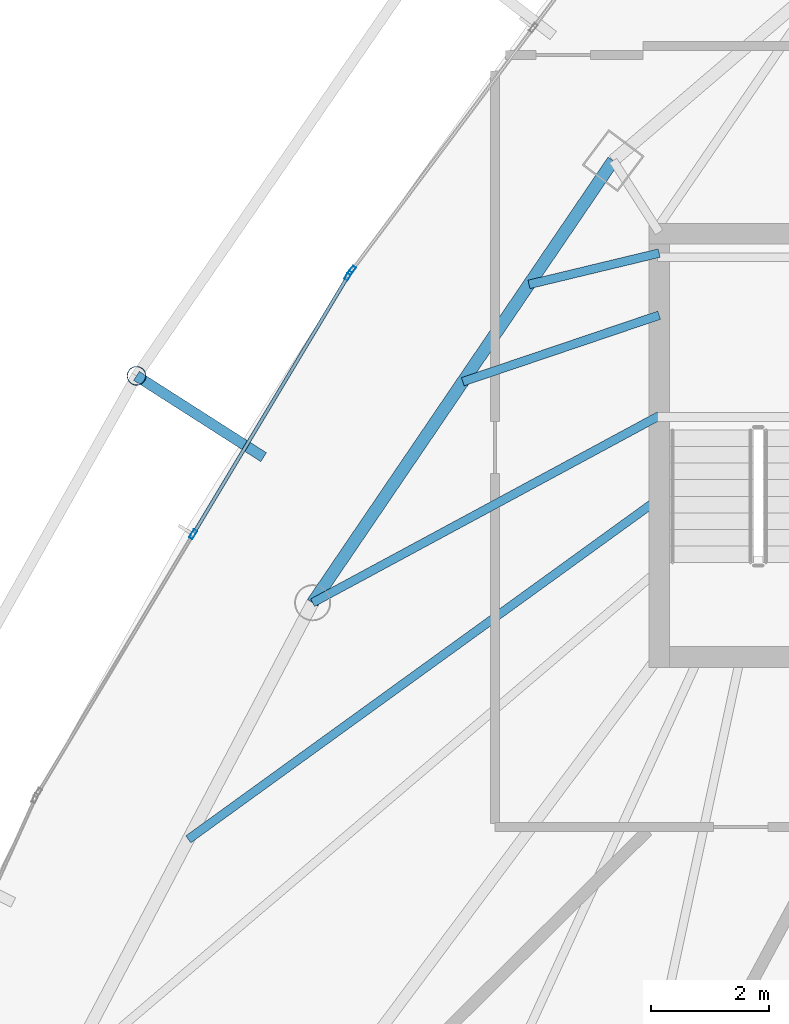
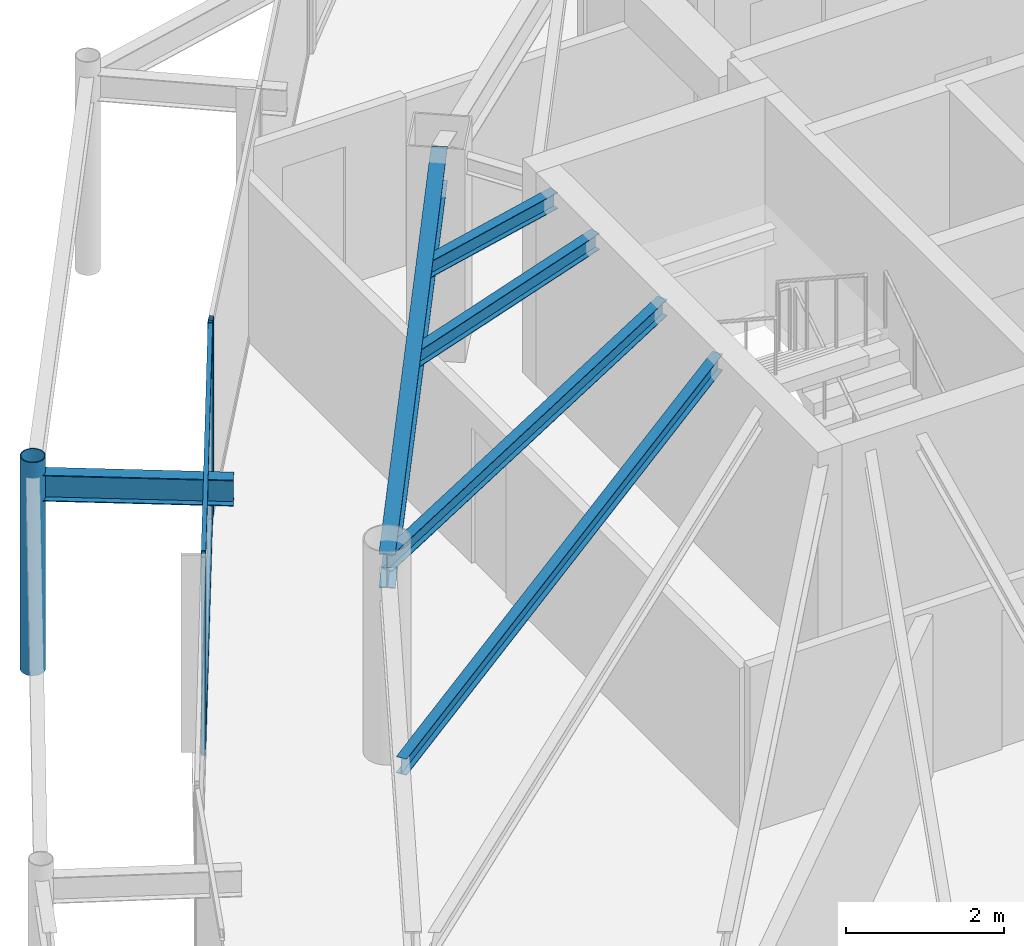
# One storey, part 13 of 33: 6 beams, 6 members, 2 elements without a shape of their own.
"""IFC4 building model written with IfcOpenShell, lengths in metres."""

from ifc_helpers import new_model, si_unit, direction, frame, origin, origin_2d, place, context, subcontext, project, spatial, hollow_rectangle, hollow_circle, i_section, extrude, material, layer, layer_set, material_profile, profile_set, type_object, element, aggregate, save


model = new_model("IFC4")

# Units and contexts
model_context = context("Model", 3, precision=1e-05, world=origin(), true_north=direction((0.0, 1.0)))
body_context = subcontext(model_context, "Body", "Model", "MODEL_VIEW")
ifc_project = project(units=[si_unit("LENGTHUNIT", "METRE"), si_unit("AREAUNIT", "SQUARE_METRE"), si_unit("VOLUMEUNIT", "CUBIC_METRE"), si_unit("PLANEANGLEUNIT", "RADIAN"), si_unit("MASSUNIT", "GRAM", prefix="KILO")], contexts=[model_context])

# Site, building, storey
site_placement = place(None, origin())
site = spatial("IfcSite", under=ifc_project, at=site_placement, CompositionType="ELEMENT")
building_placement = place(site_placement, origin())
building = spatial("IfcBuilding", under=site, at=building_placement, Name="Orvanel Arch Residences", CompositionType="ELEMENT")
storey_placement = place(building_placement, frame((0.0, 0.0, 196.39990234375)))
storey = spatial("IfcBuildingStorey", under=building, at=storey_placement, Name="L55", CompositionType="ELEMENT", Elevation=196.39990234375)

# Beams
ifc_material_1 = material(Name="Structural steel AS/NZS 3679.1 Grade 300 (300 MPa)", Category="steel")
ifc_material_profile_1 = material_profile(ifc_material_1, i_section(OverallWidth=0.14599609375, OverallDepth=0.251953125, WebThickness=0.006103515625, FlangeThickness=0.008544921875, at=origin_2d()), Name="250UB31.4")
ifc_profile_set_1 = profile_set([ifc_material_profile_1], Name="Structural steel AS/NZS 3679.1 Grade 300 (300 MPa)")
beam_type_1 = type_object("IfcBeamType", Name="BJ-250UB", PredefinedType="JOIST", material=ifc_profile_set_1)
beam_1_placement = place(storey_placement, frame((26.425048828125, 30.800048828125, 2.93408203125), z_axis=(-0.880111494021, -0.474767056664, 0.0), x_axis=(0.474767056664, -0.880111494021, 0.0)))
element("IfcBeam", 1, at=beam_1_placement, inside=storey, type_object=beam_type_1, Name="L55 NW Wing Floor Joist", PredefinedType="JOIST", context=body_context, shape_type="SweptSolid", body=[
    extrude(i_section(OverallWidth=0.14599609375, OverallDepth=0.251953125, WebThickness=0.006103515625, FlangeThickness=0.008544921875, at=origin_2d()), origin(), (0.0, 0.0, 1.0), 6.653564453125),
])
beam_2_placement = place(storey_placement, frame((26.425048828125, 32.5, 2.93408203125), z_axis=(-0.947187956478, -0.320678928373, 0.0), x_axis=(0.320678928373, -0.947187956478, 0.0)))
element("IfcBeam", 2, at=beam_2_placement, inside=storey, type_object=beam_type_1, Name="L55 WNW Wing Floor Joist", PredefinedType="JOIST", context=body_context, shape_type="SweptSolid", body=[
    extrude(i_section(OverallWidth=0.14599609375, OverallDepth=0.251953125, WebThickness=0.006103515625, FlangeThickness=0.008544921875, at=origin_2d()), origin(), (0.0, 0.0, 1.0), 3.502197265625),
])
beam_3_placement = place(storey_placement, frame((26.425048828125, 29.39990234375, 2.93408203125), z_axis=(-0.810144032972, -0.586230881002, 0.0), x_axis=(0.586230881002, -0.810144032972, 0.0)))
element("IfcBeam", 3, at=beam_3_placement, inside=storey, type_object=beam_type_1, Name="L55 CTW Wing Floor Joist", PredefinedType="JOIST", context=body_context, shape_type="SweptSolid", body=[
    extrude(i_section(OverallWidth=0.14599609375, OverallDepth=0.251953125, WebThickness=0.006103515625, FlangeThickness=0.008544921875, at=origin_2d()), origin(), (0.0, 0.0, 1.0), 9.82177734375),
])
beam_4_placement = place(storey_placement, frame((26.425048828125, 33.550048828125, 2.93408203125), z_axis=(-0.972256833016, -0.23391590509, 0.0), x_axis=(0.23391590509, -0.972256833016, 0.0)))
element("IfcBeam", 4, at=beam_4_placement, inside=storey, type_object=beam_type_1, Name="L55 JADD3 Wing Floor Joist", PredefinedType="JOIST", context=body_context, shape_type="SweptSolid", body=[
    extrude(i_section(OverallWidth=0.14599609375, OverallDepth=0.251953125, WebThickness=0.006103515625, FlangeThickness=0.008544921875, at=origin_2d()), origin(), (0.0, 0.0, 1.0), 2.26171875),
])

# Curtain wall, member
ifc_material_2 = material(Name="Bronze-anodised aluminium AA6063-T6", Category="aluminium")
ifc_layer = layer(ifc_material_2, 0.175048828125)
ifc_layer_set = layer_set([ifc_layer], Name="Bronze-anodised aluminium AA6063-T6")
curtain_wall_type = type_object("IfcCurtainWallType", Name="CW4-HI-SYS", PredefinedType="NOTDEFINED", material=ifc_layer_set)
curtain_wall_1_placement = place(storey_placement, origin())
curtain_wall_1 = element("IfcCurtainWall", 5, at=curtain_wall_1_placement, inside=storey, type_object=curtain_wall_type, Name="L55 CW4-HI-SYS Unitised Curtain Wall", PredefinedType="NOTDEFINED")
ifc_material_profile_2 = material_profile(ifc_material_2, hollow_rectangle(XDim=0.06494140625, YDim=0.159912109375, WallThickness=0.00390625, at=origin_2d()), Name="ALU160x65x4")
ifc_profile_set_2 = profile_set([ifc_material_profile_2], Name="Bronze-anodised aluminium AA6063-T6")
member_type_1 = type_object("IfcMemberType", Name="MUL-160x65", PredefinedType="MULLION", material=ifc_profile_set_2)
member_1_placement = place(storey_placement, frame((21.2294921875, 33.255126953125, 0.0), z_axis=(0.0, 0.0, 1.0), x_axis=(0.800790783216, -0.598944172287, 0.0)))
member_1 = element("IfcMember", 6, at=member_1_placement, type_object=member_type_1, Name="CW-S4 mullion 3", PredefinedType="MULLION", context=body_context, shape_type="SweptSolid", body=[
    extrude(hollow_rectangle(XDim=0.06494140625, YDim=0.159912109375, WallThickness=0.00390625, at=origin_2d()), origin(), (0.0, 0.0, 1.0), 3.06005859375),
])
aggregate(curtain_wall_1, [member_1])

# Curtain wall, members
curtain_wall_2_placement = place(storey_placement, origin())
curtain_wall_2 = element("IfcCurtainWall", 7, at=curtain_wall_2_placement, inside=storey, type_object=curtain_wall_type, Name="L55 CW4-HI-SYS Unitised Curtain Wall", PredefinedType="NOTDEFINED")
member_2_placement = place(storey_placement, frame((21.17138671875, 33.168212890625, 0.0), z_axis=(0.0, 0.0, 1.0), x_axis=(0.857492925713, -0.514495755426, 0.0)))
member_2 = element("IfcMember", 8, at=member_2_placement, type_object=member_type_1, Name="CW-S4 mullion 1", PredefinedType="MULLION", context=body_context, shape_type="SweptSolid", body=[
    extrude(hollow_rectangle(XDim=0.06494140625, YDim=0.159912109375, WallThickness=0.00390625, at=origin_2d()), origin(), (0.0, 0.0, 1.0), 3.06005859375),
])
member_3_placement = place(storey_placement, frame((18.549560546875, 28.798583984375, 0.0), z_axis=(0.0, 0.0, 1.0), x_axis=(0.857492925713, -0.514495755426, 0.0)))
member_3 = element("IfcMember", 9, at=member_3_placement, type_object=member_type_1, Name="CW-S4 mullion 2", PredefinedType="MULLION", context=body_context, shape_type="SweptSolid", body=[
    extrude(hollow_rectangle(XDim=0.06494140625, YDim=0.159912109375, WallThickness=0.00390625, at=origin_2d()), origin(), (0.0, 0.0, 1.0), 3.06005859375),
])

# Beams
ifc_material_profile_3 = material_profile(ifc_material_1, i_section(OverallWidth=0.177978515625, OverallDepth=0.406005859375, WebThickness=0.0078125, FlangeThickness=0.0126953125, at=origin_2d()), Name="410UB59.7")
ifc_profile_set_3 = profile_set([ifc_material_profile_3], Name="Structural steel AS/NZS 3679.1 Grade 300 (300 MPa)")
beam_type_2 = type_object("IfcBeamType", Name="OB-410UB-EXT", PredefinedType="SPANDREL", material=ifc_profile_set_3)
beam_5_placement = place(storey_placement, frame((19.740966796875, 30.10107421875, 2.857177734375), z_axis=(-0.842389625194, 0.53886892596, 0.0), x_axis=(-0.53886892596, -0.842389625194, 0.0)))
element("IfcBeam", 10, at=beam_5_placement, inside=storey, type_object=beam_type_2, Name="L55 Outer Frame Radial Tie Beam 02", PredefinedType="SPANDREL", context=body_context, shape_type="SweptSolid", body=[
    extrude(i_section(OverallWidth=0.177978515625, OverallDepth=0.406005859375, WebThickness=0.0078125, FlangeThickness=0.0126953125, at=origin_2d()), origin(), (0.0, 0.0, 1.0), 2.5498046875),
])
ifc_material_profile_4 = material_profile(ifc_material_1, i_section(OverallWidth=0.208984375, OverallDepth=0.532958984375, WebThickness=0.01025390625, FlangeThickness=0.015625, at=origin_2d()), Name="530UB92.4")
ifc_profile_set_4 = profile_set([ifc_material_profile_4], Name="Structural steel AS/NZS 3679.1 Grade 300 (300 MPa)")
beam_type_3 = type_object("IfcBeamType", Name="SP-530UB", PredefinedType="SPANDREL", material=ifc_profile_set_4)
beam_6_placement = place(storey_placement, frame((25.64794921875, 35.113037109375, 2.794189453125), z_axis=(-0.562154793153, -0.827032035978, 0.0), x_axis=(0.827032035978, -0.562154793153, 0.0)))
element("IfcBeam", 11, at=beam_6_placement, inside=storey, type_object=beam_type_3, Name="L55 Perimeter Spandrel Beam 11", PredefinedType="SPANDREL", context=body_context, shape_type="SweptSolid", body=[
    extrude(i_section(OverallWidth=0.208984375, OverallDepth=0.532958984375, WebThickness=0.01025390625, FlangeThickness=0.015625, at=origin_2d()), origin(), (0.0, 0.0, 1.0), 9.03466796875),
])

# Member
ifc_material_3 = material(Name="Structural steel AS/NZS 1163 C350L0 (Grade 350)", Category="steel")
ifc_material_profile_5 = material_profile(ifc_material_3, hollow_circle(Radius=0.162109375, WallThickness=0.0126953125, at=origin_2d()), Name="CHS324x12.7")
ifc_profile_set_5 = profile_set([ifc_material_profile_5], Name="Structural steel AS/NZS 1163 C350L0 (Grade 350)")
member_type_2 = type_object("IfcMemberType", Name="ST-324CHS-EXT", PredefinedType="STRUT", material=ifc_profile_set_5)
member_4_placement = place(storey_placement, frame((17.593017578125, 31.47509765625, 0.0), z_axis=(0.0, 0.0, 1.0), x_axis=(1.0, 0.0, 0.0)))
element("IfcMember", 12, at=member_4_placement, inside=storey, type_object=member_type_2, Name="L55 Outer Perimeter Frame Post 02", PredefinedType="STRUT", context=body_context, shape_type="SweptSolid", body=[
    extrude(hollow_circle(Radius=0.162109375, WallThickness=0.0126953125, at=origin_2d()), origin(), (0.0, 0.0, 1.0), 3.300048828125),
])

ifc_material_profile_6 = material_profile(ifc_material_2, hollow_rectangle(XDim=0.06005859375, YDim=0.1201171875, WallThickness=0.00341796875, at=origin_2d()), Name="ALU120x60x3.5")
ifc_profile_set_6 = profile_set([ifc_material_profile_6], Name="Bronze-anodised aluminium AA6063-T6")
member_type_3 = type_object("IfcMemberType", Name="TRN-120x60", PredefinedType="USERDEFINED", material=ifc_profile_set_6)
member_5_placement = place(storey_placement, frame((21.154541015625, 33.140380859375, 0.030029296875), z_axis=(-0.514495755428, -0.857492925713, 0.0), x_axis=(0.857492925713, -0.514495755428, 0.0)))
member_5 = element("IfcMember", 13, at=member_5_placement, type_object=member_type_3, Name="CW-S4 transom 1.1", ObjectType="TRANSOM", PredefinedType="USERDEFINED", context=body_context, shape_type="SweptSolid", body=[
    extrude(hollow_rectangle(XDim=0.06005859375, YDim=0.1201171875, WallThickness=0.00341796875, at=origin_2d()), origin(), (0.0, 0.0, 1.0), 5.031005859375),
])

member_6_placement = place(storey_placement, frame((21.154541015625, 33.140380859375, 3.030029296875), z_axis=(-0.514495755428, -0.857492925713, 0.0), x_axis=(0.857492925713, -0.514495755428, 0.0)))
member_6 = element("IfcMember", 14, at=member_6_placement, type_object=member_type_3, Name="CW-S4 transom 1.2", ObjectType="TRANSOM", PredefinedType="USERDEFINED", context=body_context, shape_type="SweptSolid", body=[
    extrude(hollow_rectangle(XDim=0.06005859375, YDim=0.1201171875, WallThickness=0.00341796875, at=origin_2d()), origin(), (0.0, 0.0, 1.0), 5.031005859375),
])

aggregate(curtain_wall_2, [member_2, member_3, member_5, member_6])

save(model, "model.ifc")
